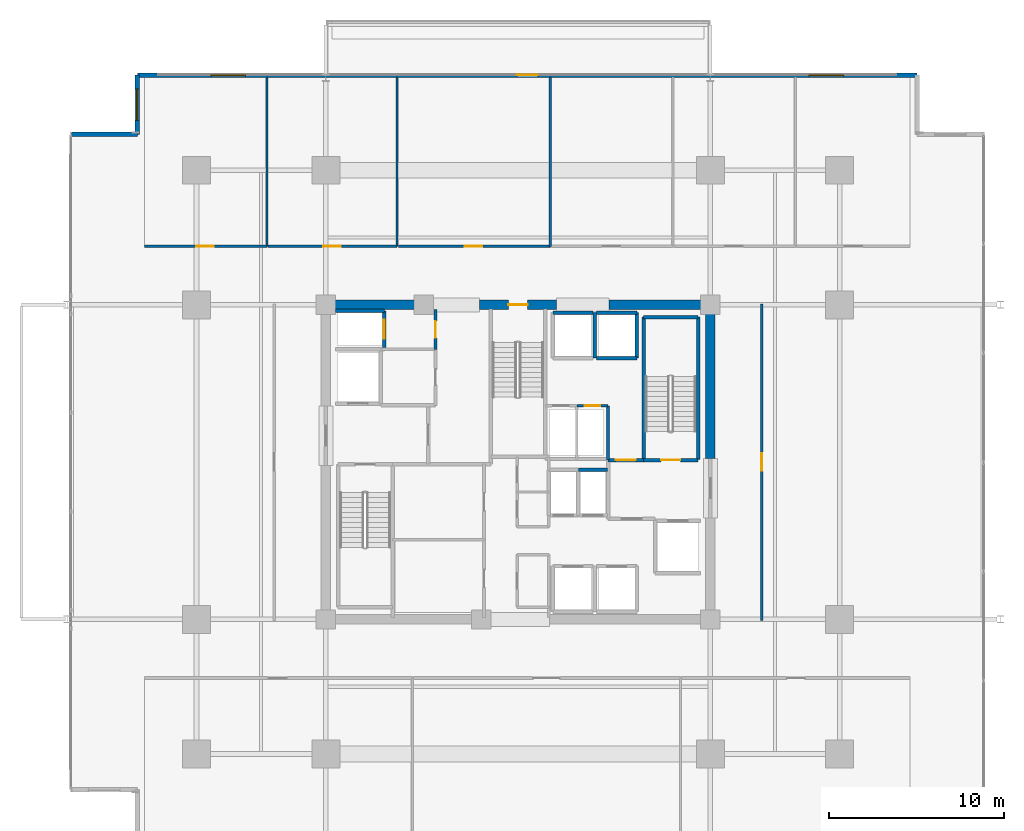
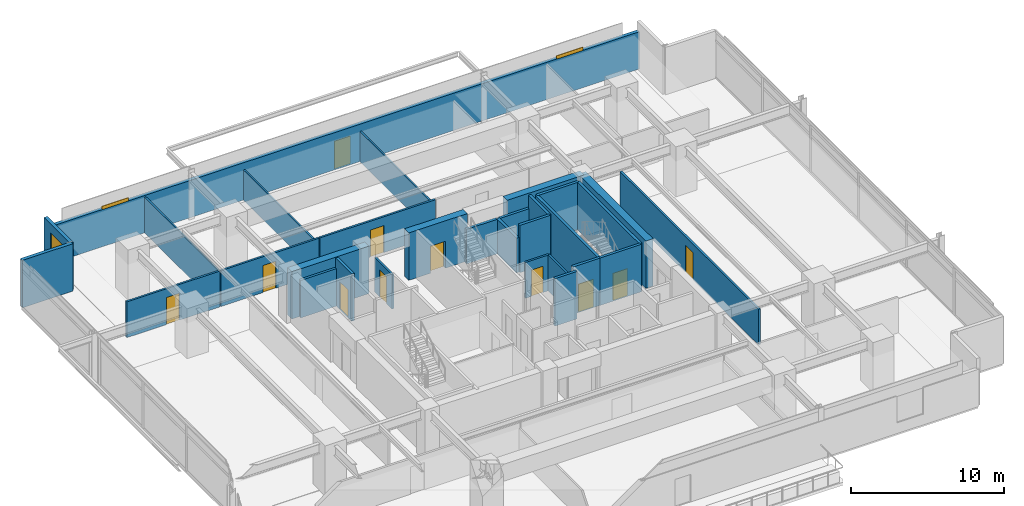
# One storey, part 17 of 22: 30 walls, 11 doors, 3 windows, 14 openings.
"""IFC4 building model written with IfcOpenShell, lengths in metres."""

from ifc_helpers import new_model, si_unit, direction, frame, frame_2d, origin, place, context, subcontext, project, spatial, rectangle, extrude, material, layer, layer_set, type_object, element, fill, save


model = new_model("IFC4")

# Units and contexts
model_context = context("Model", 3, precision=1e-05, world=origin(), true_north=direction((0.0, 1.0)))
body_context = subcontext(model_context, "Body", "Model", "MODEL_VIEW")
ifc_project = project(units=[si_unit("LENGTHUNIT", "METRE"), si_unit("AREAUNIT", "SQUARE_METRE"), si_unit("VOLUMEUNIT", "CUBIC_METRE"), si_unit("PLANEANGLEUNIT", "RADIAN"), si_unit("MASSUNIT", "GRAM", prefix="KILO")], contexts=[model_context])

# Site, building, storey
site_placement = place(None, origin())
site = spatial("IfcSite", under=ifc_project, at=site_placement, CompositionType="ELEMENT")
building_placement = place(site_placement, origin())
building = spatial("IfcBuilding", under=site, at=building_placement, Name="Kovane Verandah Tower", CompositionType="ELEMENT")
storey_placement = place(building_placement, frame((0.0, 0.0, 156.39990234375)))
storey = spatial("IfcBuildingStorey", under=building, at=storey_placement, Name="L36", CompositionType="ELEMENT", Elevation=156.39990234375)

# Wall, opening, door
ifc_material_1 = material(Name="Fire-Rated Gypsum Stud Partition", Category="gypsum")
ifc_layer_1 = layer(ifc_material_1, 0.14990234375)
ifc_layer_set_1 = layer_set([ifc_layer_1], Name="Fire-Rated Gypsum Stud Partition")
wall_type_1 = type_object("IfcWallType", Name="WL-COR-150", PredefinedType="PARTITIONING", material=ifc_layer_set_1)
wall_1_placement = place(storey_placement, frame((35.280029296875, 33.949951171875, 0.0), z_axis=(0.0, 0.0, 1.0), x_axis=(0.0, 1.0, 0.0)))
wall_1 = element("IfcWall", 1, at=wall_1_placement, inside=storey, type_object=wall_type_1, Name="L36 Goods Lift Lobby East Fire Partition", PredefinedType="PARTITIONING", context=body_context, shape_type="SweptSolid", body=[
    extrude(rectangle(XDim=2.27001953125, YDim=0.14990234375, at=frame_2d((1.135009765625, 0.0))), origin(), (0.0, 0.0, 1.0), 2.755126953125),
])
opening_1_placement = place(wall_1_placement, frame((0.659912109375, 0.0, 0.0)))
opening_1 = element("IfcOpeningElement", 2, at=opening_1_placement, cuts=wall_1, Name="Opening DR-L36-008", PredefinedType="OPENING", context=body_context, shape_type="SweptSolid", body=[
    extrude(rectangle(XDim=0.949951171875, YDim=2.14990234375, at=frame_2d((0.47509765625, 1.074951171875))), frame((0.0, 0.074951171875, 0.0), z_axis=(0.0, -1.0, 0.0), x_axis=(1.0, 0.0, 0.0)), (0.0, 0.0, 1.0), 0.14990234375),
])
ifc_material_2 = material(Name="Fire-Rated Steel Refuge and Lobby Door", Category="steel")
door_type_1 = type_object("IfcDoorType", Name="DR-FIRE-950", OperationType="SINGLE_SWING_LEFT", PredefinedType="DOOR", material=ifc_material_2)
door_1_placement = place(opening_1_placement, origin())
door_1 = element("IfcDoor", 3, at=door_1_placement, inside=storey, type_object=door_type_1, Name="L36 Goods Lift Lobby Fire Door", OperationType="SINGLE_SWING_LEFT", OverallHeight=2.14990234375, OverallWidth=0.949951171875, PredefinedType="DOOR", context=body_context, shape_type="SweptSolid", body=[
    extrude(rectangle(XDim=0.949951171875, YDim=2.14990234375, at=frame_2d((0.47509765625, 1.074951171875))), frame((0.0, 0.02490234375, 0.0), z_axis=(0.0, -1.0, 0.0), x_axis=(1.0, 0.0, 0.0)), (0.0, 0.0, 1.0), 0.050048828125),
])
fill(opening_1, door_1)

# Wall
wall_2_placement = place(storey_placement, frame((45.14990234375, 27.6201171875, 0.0), z_axis=(0.0, 0.0, 1.0), x_axis=(0.0, 1.0, 0.0)))
element("IfcWall", 4, at=wall_2_placement, inside=storey, type_object=wall_type_1, Name="L36 East Core Service Riser East Wall", PredefinedType="PARTITIONING", context=body_context, shape_type="SweptSolid", body=[
    extrude(rectangle(XDim=3.099853515625, YDim=0.14990234375, at=frame_2d((1.5498046875, 0.0))), origin(), (0.0, 0.0, 1.0), 2.85009765625),
])

# Wall, opening, door
wall_3_placement = place(storey_placement, frame((43.360107421875, 30.719970703125, 0.0), z_axis=(0.0, 0.0, 1.0), x_axis=(1.0, 0.0, 0.0)))
wall_3 = element("IfcWall", 5, at=wall_3_placement, inside=storey, type_object=wall_type_1, Name="L36 Smoke Extract Duct Room Partition", PredefinedType="PARTITIONING", context=body_context, shape_type="SweptSolid", body=[
    extrude(rectangle(XDim=1.789794921875, YDim=0.14990234375, at=frame_2d((0.89501953125, 0.0))), origin(), (0.0, 0.0, 1.0), 2.85009765625),
])
opening_2_placement = place(wall_3_placement, frame((0.455078125, 0.0, 0.0)))
opening_2 = element("IfcOpeningElement", 6, at=opening_2_placement, cuts=wall_3, Name="Opening DR-L36-016", PredefinedType="OPENING", context=body_context, shape_type="SweptSolid", body=[
    extrude(rectangle(XDim=0.8798828125, YDim=2.10009765625, at=frame_2d((0.43994140625, 1.050048828125))), frame((0.0, 0.074951171875, 0.0), z_axis=(0.0, -1.0, 0.0), x_axis=(1.0, 0.0, 0.0)), (0.0, 0.0, 1.0), 0.14990234375),
])
ifc_material_3 = material(Name="Fire-Rated Steel Riser Access Door", Category="steel")
door_type_2 = type_object("IfcDoorType", Name="DR-RISER-880", OperationType="SINGLE_SWING_LEFT", PredefinedType="DOOR", material=ifc_material_3)
door_2_placement = place(opening_2_placement, origin())
door_2 = element("IfcDoor", 7, at=door_2_placement, inside=storey, type_object=door_type_2, Name="L36 Smoke Extract Duct Room Door", OperationType="SINGLE_SWING_RIGHT", OverallHeight=2.10009765625, OverallWidth=0.8798828125, PredefinedType="DOOR", context=body_context, shape_type="SweptSolid", body=[
    extrude(rectangle(XDim=0.8798828125, YDim=2.10009765625, at=frame_2d((0.43994140625, 1.050048828125))), frame((0.0, 0.02490234375, 0.0), z_axis=(0.0, -1.0, 0.0), x_axis=(1.0, 0.0, 0.0)), (0.0, 0.0, 1.0), 0.050048828125),
])
fill(opening_2, door_2)

wall_4_placement = place(storey_placement, frame((18.61962890625, 39.85009765625, 0.0), z_axis=(0.0, 0.0, 1.0), x_axis=(1.0, 0.0, 0.0)))
wall_4 = element("IfcWall", 8, at=wall_4_placement, inside=storey, type_object=wall_type_1, Name="L36 Meeting Room N1 Corridor Partition", PredefinedType="PARTITIONING", context=body_context, shape_type="SweptSolid", body=[
    extrude(rectangle(XDim=7.01171875, YDim=0.14990234375, at=frame_2d((3.505859375, 0.0))), origin(), (0.0, 0.0, 1.0), 2.85009765625),
])
opening_3_placement = place(wall_4_placement, frame((2.970703125, 0.0, 0.0)))
opening_3 = element("IfcOpeningElement", 9, at=opening_3_placement, cuts=wall_4, Name="Opening DR-L36-017", PredefinedType="OPENING", context=body_context, shape_type="SweptSolid", body=[
    extrude(rectangle(XDim=1.0, YDim=2.14990234375, at=frame_2d((0.5, 1.074951171875))), frame((0.0, 0.074951171875, 0.0), z_axis=(0.0, -1.0, 0.0), x_axis=(1.0, 0.0, 0.0)), (0.0, 0.0, 1.0), 0.14990234375),
])
ifc_material_4 = material(Name="FSC Spotted-Gum Timber Fire-Rated Office Door", Category="wood")
door_type_3 = type_object("IfcDoorType", Name="DR-OFF-1000", OperationType="SINGLE_SWING_LEFT", PredefinedType="DOOR", material=ifc_material_4)
door_3_placement = place(opening_3_placement, origin())
door_3 = element("IfcDoor", 10, at=door_3_placement, inside=storey, type_object=door_type_3, Name="L36 Meeting Room N1 Entrance Door", OperationType="SINGLE_SWING_LEFT", OverallHeight=2.14990234375, OverallWidth=1.0, PredefinedType="DOOR", context=body_context, shape_type="SweptSolid", body=[
    extrude(rectangle(XDim=1.0, YDim=2.14990234375, at=frame_2d((0.5, 1.074951171875))), frame((0.0, 0.02490234375, 0.0), z_axis=(0.0, -1.0, 0.0), x_axis=(1.0, 0.0, 0.0)), (0.0, 0.0, 1.0), 0.050048828125),
])
fill(opening_3, door_3)

wall_5_placement = place(storey_placement, frame((25.701416015625, 39.85009765625, 0.0), z_axis=(0.0, 0.0, 1.0), x_axis=(1.0, 0.0, 0.0)))
wall_5 = element("IfcWall", 11, at=wall_5_placement, inside=storey, type_object=wall_type_1, Name="L36 Focus Studio N2 Corridor Partition", PredefinedType="PARTITIONING", context=body_context, shape_type="SweptSolid", body=[
    extrude(rectangle(XDim=7.379638671875, YDim=0.14990234375, at=frame_2d((3.68994140625, 0.0))), origin(), (0.0, 0.0, 1.0), 2.85009765625),
])
opening_4_placement = place(wall_5_placement, frame((3.15478515625, 0.0, 0.0)))
opening_4 = element("IfcOpeningElement", 12, at=opening_4_placement, cuts=wall_5, Name="Opening DR-L36-018", PredefinedType="OPENING", context=body_context, shape_type="SweptSolid", body=[
    extrude(rectangle(XDim=1.0, YDim=2.14990234375, at=frame_2d((0.5, 1.074951171875))), frame((0.0, 0.074951171875, 0.0), z_axis=(0.0, -1.0, 0.0), x_axis=(1.0, 0.0, 0.0)), (0.0, 0.0, 1.0), 0.14990234375),
])
door_4_placement = place(opening_4_placement, origin())
door_4 = element("IfcDoor", 13, at=door_4_placement, inside=storey, type_object=door_type_3, Name="L36 Focus Studio N2 Entrance Door", OperationType="SINGLE_SWING_RIGHT", OverallHeight=2.14990234375, OverallWidth=1.0, PredefinedType="DOOR", context=body_context, shape_type="SweptSolid", body=[
    extrude(rectangle(XDim=1.0, YDim=2.14990234375, at=frame_2d((0.5, 1.074951171875))), frame((0.0, 0.02490234375, 0.0), z_axis=(0.0, -1.0, 0.0), x_axis=(1.0, 0.0, 0.0)), (0.0, 0.0, 1.0), 0.050048828125),
])
fill(opening_4, door_4)

wall_6_placement = place(storey_placement, frame((33.151123046875, 39.85009765625, 0.0), z_axis=(0.0, 0.0, 1.0), x_axis=(1.0, 0.0, 0.0)))
wall_6 = element("IfcWall", 14, at=wall_6_placement, inside=storey, type_object=wall_type_1, Name="L36 Breakout Pantry N3 Corridor Partition", PredefinedType="PARTITIONING", context=body_context, shape_type="SweptSolid", body=[
    extrude(rectangle(XDim=8.6943359375, YDim=0.14990234375, at=frame_2d((4.34716796875, 0.0))), origin(), (0.0, 0.0, 1.0), 2.85009765625),
])
opening_5_placement = place(wall_6_placement, frame((3.812255859375, 0.0, 0.0)))
opening_5 = element("IfcOpeningElement", 15, at=opening_5_placement, cuts=wall_6, Name="Opening DR-L36-019", PredefinedType="OPENING", context=body_context, shape_type="SweptSolid", body=[
    extrude(rectangle(XDim=1.0, YDim=2.14990234375, at=frame_2d((0.5, 1.074951171875))), frame((0.0, 0.074951171875, 0.0), z_axis=(0.0, -1.0, 0.0), x_axis=(1.0, 0.0, 0.0)), (0.0, 0.0, 1.0), 0.14990234375),
])
door_5_placement = place(opening_5_placement, origin())
door_5 = element("IfcDoor", 16, at=door_5_placement, inside=storey, type_object=door_type_3, Name="L36 Breakout Pantry N3 Entrance Door", OperationType="SINGLE_SWING_LEFT", OverallHeight=2.14990234375, OverallWidth=1.0, PredefinedType="DOOR", context=body_context, shape_type="SweptSolid", body=[
    extrude(rectangle(XDim=1.0, YDim=2.14990234375, at=frame_2d((0.5, 1.074951171875))), frame((0.0, 0.02490234375, 0.0), z_axis=(0.0, -1.0, 0.0), x_axis=(1.0, 0.0, 0.0)), (0.0, 0.0, 1.0), 0.050048828125),
])
fill(opening_5, door_5)

wall_7_placement = place(storey_placement, frame((53.949951171875, 18.449951171875, 0.0), z_axis=(0.0, 0.0, 1.0), x_axis=(0.0, 1.0, 0.0)))
wall_7 = element("IfcWall", 17, at=wall_7_placement, inside=storey, type_object=wall_type_1, Name="L36 Breakout Pantry E1 Corridor Partition", PredefinedType="PARTITIONING", context=body_context, shape_type="SweptSolid", body=[
    extrude(rectangle(XDim=18.10009765625, YDim=0.14990234375, at=frame_2d((9.050048828125, 0.0))), origin(), (0.0, 0.0, 1.0), 2.85009765625),
])
opening_6_placement = place(wall_7_placement, frame((8.550048828125, 0.0, 0.0)))
opening_6 = element("IfcOpeningElement", 18, at=opening_6_placement, cuts=wall_7, Name="Opening DR-L36-012", PredefinedType="OPENING", context=body_context, shape_type="SweptSolid", body=[
    extrude(rectangle(XDim=1.0, YDim=2.14990234375, at=frame_2d((0.5, 1.074951171875))), frame((0.0, 0.074951171875, 0.0), z_axis=(0.0, -1.0, 0.0), x_axis=(1.0, 0.0, 0.0)), (0.0, 0.0, 1.0), 0.14990234375),
])
door_6_placement = place(opening_6_placement, origin())
door_6 = element("IfcDoor", 19, at=door_6_placement, inside=storey, type_object=door_type_3, Name="L36 Breakout Pantry E1 Entrance Door", OperationType="SINGLE_SWING_LEFT", OverallHeight=2.14990234375, OverallWidth=1.0, PredefinedType="DOOR", context=body_context, shape_type="SweptSolid", body=[
    extrude(rectangle(XDim=1.0, YDim=2.14990234375, at=frame_2d((0.5, 1.074951171875))), frame((0.0, 0.02490234375, 0.0), z_axis=(0.0, -1.0, 0.0), x_axis=(1.0, 0.0, 0.0)), (0.0, 0.0, 1.0), 0.050048828125),
])
fill(opening_6, door_6)

# Wall
ifc_material_5 = material(Name="Concrete C60/75", Category="concrete")
ifc_layer_2 = layer(ifc_material_5, 0.550048828125)
ifc_layer_set_2 = layer_set([ifc_layer_2], Name="Concrete C60/75")
wall_type_2 = type_object("IfcWallType", Name="WL-CORE-550", PredefinedType="SHEAR", material=ifc_layer_set_2)
wall_8_placement = place(storey_placement, frame((29.0, 36.5, 0.0), z_axis=(0.0, 0.0, 1.0), x_axis=(1.0, 0.0, 0.0)))
element("IfcWall", 20, at=wall_8_placement, inside=storey, type_object=wall_type_2, Name="L36 Core Shear Wall CN-1", PredefinedType="SHEAR", context=body_context, shape_type="SweptSolid", body=[
    extrude(rectangle(XDim=5.800048828125, YDim=0.550048828125, at=frame_2d((2.89990234375, 0.0))), origin(), (0.0, 0.0, 1.0), 3.775146484375),
])

# Wall, opening, door
wall_9_placement = place(storey_placement, frame((37.800048828125, 36.5, 0.0), z_axis=(0.0, 0.0, 1.0), x_axis=(1.0, 0.0, 0.0)))
wall_9 = element("IfcWall", 21, at=wall_9_placement, inside=storey, type_object=wall_type_2, Name="L36 Core Shear Wall CN-2", PredefinedType="SHEAR", context=body_context, shape_type="SweptSolid", body=[
    extrude(rectangle(XDim=4.39990234375, YDim=0.550048828125, at=frame_2d((2.199951171875, 0.0))), origin(), (0.0, 0.0, 1.0), 3.775146484375),
])
opening_7_placement = place(wall_9_placement, frame((1.64990234375, 0.0, 0.0)))
opening_7 = element("IfcOpeningElement", 22, at=opening_7_placement, cuts=wall_9, Name="Opening DR-L36-011", PredefinedType="OPENING", context=body_context, shape_type="SweptSolid", body=[
    extrude(rectangle(XDim=1.10009765625, YDim=2.14990234375, at=frame_2d((0.550048828125, 1.074951171875))), frame((0.0, 0.27490234375, 0.0), z_axis=(0.0, -1.0, 0.0), x_axis=(1.0, 0.0, 0.0)), (0.0, 0.0, 1.0), 0.550048828125),
])
ifc_material_6 = material(Name="Fire-Rated Steel Exit Door", Category="steel")
door_type_4 = type_object("IfcDoorType", Name="DR-STAIR-1100", OperationType="SINGLE_SWING_LEFT", PredefinedType="DOOR", material=ifc_material_6)
door_7_placement = place(opening_7_placement, origin())
door_7 = element("IfcDoor", 23, at=door_7_placement, inside=storey, type_object=door_type_4, Name="L36 ST-03 Fire Exit Stair Door", OperationType="SINGLE_SWING_LEFT", OverallHeight=2.14990234375, OverallWidth=1.10009765625, PredefinedType="DOOR", context=body_context, shape_type="SweptSolid", body=[
    extrude(rectangle(XDim=1.10009765625, YDim=2.14990234375, at=frame_2d((0.550048828125, 1.074951171875))), frame((0.0, 0.02490234375, 0.0), z_axis=(0.0, -1.0, 0.0), x_axis=(1.0, 0.0, 0.0)), (0.0, 0.0, 1.0), 0.050048828125),
])
fill(opening_7, door_7)

# Walls
wall_10_placement = place(storey_placement, frame((45.199951171875, 36.5, 0.0), z_axis=(0.0, 0.0, 1.0), x_axis=(1.0, 0.0, 0.0)))
element("IfcWall", 24, at=wall_10_placement, inside=storey, type_object=wall_type_2, Name="L36 Core Shear Wall CN-3", PredefinedType="SHEAR", context=body_context, shape_type="SweptSolid", body=[
    extrude(rectangle(XDim=5.800048828125, YDim=0.550048828125, at=frame_2d((2.89990234375, 0.0))), origin(), (0.0, 0.0, 1.0), 3.775146484375),
])
wall_11_placement = place(storey_placement, frame((51.0, 27.699951171875, 0.0), z_axis=(0.0, 0.0, 1.0), x_axis=(0.0, 1.0, 0.0)))
element("IfcWall", 25, at=wall_11_placement, inside=storey, type_object=wall_type_2, Name="L36 Core Shear Wall CE-2", PredefinedType="SHEAR", context=body_context, shape_type="SweptSolid", body=[
    extrude(rectangle(XDim=8.800048828125, YDim=0.550048828125, at=frame_2d((4.39990234375, 0.0))), origin(), (0.0, 0.0, 1.0), 3.775146484375),
])

# Wall, opening, door
ifc_material_7 = material(Name="Concrete C45/55 Fire Wall", Category="concrete")
ifc_layer_3 = layer(ifc_material_7, 0.199951171875)
ifc_layer_set_3 = layer_set([ifc_layer_3], Name="Concrete C45/55 Fire Wall")
wall_type_3 = type_object("IfcWallType", Name="WL-FFL-200", PredefinedType="PARTITIONING", material=ifc_layer_set_3)
wall_12_placement = place(storey_placement, frame((45.14990234375, 27.6201171875, 0.0), z_axis=(0.0, 0.0, 1.0), x_axis=(1.0, 0.0, 0.0)))
wall_12 = element("IfcWall", 26, at=wall_12_placement, inside=storey, type_object=wall_type_3, Name="W-L36-FFLE-N", PredefinedType="PARTITIONING", context=body_context, shape_type="SweptSolid", body=[
    extrude(rectangle(XDim=2.030029296875, YDim=0.199951171875, at=frame_2d((1.01513671875, 0.0))), origin(), (0.0, 0.0, 1.0), 3.775146484375),
])
opening_8_placement = place(wall_12_placement, frame((0.43994140625, 0.0, 0.0)))
opening_8 = element("IfcOpeningElement", 27, at=opening_8_placement, cuts=wall_12, Name="Opening DR-L36-004", PredefinedType="OPENING", context=body_context, shape_type="SweptSolid", body=[
    extrude(rectangle(XDim=1.14990234375, YDim=2.199951171875, at=frame_2d((0.574951171875, 1.10009765625))), frame((0.0, 0.10009765625, 0.0), z_axis=(0.0, -1.0, 0.0), x_axis=(1.0, 0.0, 0.0)), (0.0, 0.0, 1.0), 0.199951171875),
])
ifc_material_8 = material(Name="Smoke-Sealed Firefighting Lobby Door", Category="steel")
door_type_5 = type_object("IfcDoorType", Name="DR-FFL-1150", OperationType="SINGLE_SWING_LEFT", PredefinedType="DOOR", material=ifc_material_8)
door_8_placement = place(opening_8_placement, origin())
door_8 = element("IfcDoor", 28, at=door_8_placement, inside=storey, type_object=door_type_5, Name="L36 East Firefighting Lobby Shuttle Link Door", OperationType="SINGLE_SWING_LEFT", OverallHeight=2.199951171875, OverallWidth=1.14990234375, PredefinedType="DOOR", context=body_context, shape_type="SweptSolid", body=[
    extrude(rectangle(XDim=1.14990234375, YDim=2.199951171875, at=frame_2d((0.574951171875, 1.10009765625))), frame((0.0, 0.02490234375, 0.0), z_axis=(0.0, -1.0, 0.0), x_axis=(1.0, 0.0, 0.0)), (0.0, 0.0, 1.0), 0.050048828125),
])
fill(opening_8, door_8)

# Wall
ifc_material_9 = material(Name="Concrete C45/55 Lift Shaft Wall", Category="concrete")
ifc_layer_4 = layer(ifc_material_9, 0.199951171875)
ifc_layer_set_4 = layer_set([ifc_layer_4], Name="Concrete C45/55 Lift Shaft Wall")
wall_type_4 = type_object("IfcWallType", Name="WL-LIFT-200", PredefinedType="SOLIDWALL", material=ifc_layer_set_4)
wall_13_placement = place(storey_placement, frame((32.35009765625, 36.14990234375, 0.0), z_axis=(0.0, 0.0, 1.0), x_axis=(-1.0, 0.0, 0.0)))
element("IfcWall", 29, at=wall_13_placement, inside=storey, type_object=wall_type_4, Name="L36 Lift GL-01 N Shaft Wall", PredefinedType="SOLIDWALL", context=body_context, shape_type="SweptSolid", body=[
    extrude(rectangle(XDim=2.800048828125, YDim=0.199951171875, at=frame_2d((1.39990234375, 0.0))), origin(), (0.0, 0.0, 1.0), 2.9853515625),
])

# Wall, opening, door
wall_14_placement = place(storey_placement, frame((32.35009765625, 34.050048828125, 0.0), z_axis=(0.0, 0.0, 1.0), x_axis=(0.0, 1.0, 0.0)))
wall_14 = element("IfcWall", 30, at=wall_14_placement, inside=storey, type_object=wall_type_4, Name="L36 Lift GL-01 E Shaft Wall", PredefinedType="SOLIDWALL", context=body_context, shape_type="SweptSolid", body=[
    extrude(rectangle(XDim=2.099853515625, YDim=0.199951171875, at=frame_2d((1.0498046875, 0.0))), origin(), (0.0, 0.0, 1.0), 3.775146484375),
])
opening_9_placement = place(wall_14_placement, frame((0.5, 0.0, 0.0)))
opening_9 = element("IfcOpeningElement", 31, at=opening_9_placement, cuts=wall_14, Name="Opening LD-L36-003", PredefinedType="OPENING", context=body_context, shape_type="SweptSolid", body=[
    extrude(rectangle(XDim=1.10009765625, YDim=2.199951171875, at=frame_2d((0.550048828125, 1.10009765625))), frame((0.0, 0.10009765625, 0.0), z_axis=(0.0, -1.0, 0.0), x_axis=(1.0, 0.0, 0.0)), (0.0, 0.0, 1.0), 0.199951171875),
])
ifc_material_10 = material(Name="Brushed Stainless Steel Sliding Lift Landing Door", Category="steel")
door_type_6 = type_object("IfcDoorType", Name="DR-LIFT-1100", OperationType="SLIDING_TO_RIGHT", PredefinedType="DOOR", material=ifc_material_10)
door_9_placement = place(opening_9_placement, origin())
door_9 = element("IfcDoor", 32, at=door_9_placement, inside=storey, type_object=door_type_6, Name="L36 Lift GL-01 Sliding Landing Door", OperationType="SLIDING_TO_RIGHT", OverallHeight=2.199951171875, OverallWidth=1.10009765625, PredefinedType="DOOR", context=body_context, shape_type="SweptSolid", body=[
    extrude(rectangle(XDim=1.10009765625, YDim=2.199951171875, at=frame_2d((0.550048828125, 1.10009765625))), frame((0.0, 0.02490234375, 0.0), z_axis=(0.0, -1.0, 0.0), x_axis=(1.0, 0.0, 0.0)), (0.0, 0.0, 1.0), 0.050048828125),
])
fill(opening_9, door_9)

# Walls
wall_15_placement = place(storey_placement, frame((45.1201171875, 27.050048828125, 0.0), z_axis=(0.0, 0.0, 1.0), x_axis=(-1.0, 0.0, 0.0)))
element("IfcWall", 33, at=wall_15_placement, inside=storey, type_object=wall_type_4, Name="L36 Lift PL-M4 N Shaft Wall", PredefinedType="SOLIDWALL", context=body_context, shape_type="SweptSolid", body=[
    extrude(rectangle(XDim=1.66015625, YDim=0.199951171875, at=frame_2d((0.830078125, 0.0))), origin(), (0.0, 0.0, 1.0), 3.775146484375),
])
wall_16_placement = place(storey_placement, frame((44.300048828125, 36.050048828125, 0.0), z_axis=(0.0, 0.0, 1.0), x_axis=(-1.0, 0.0, 0.0)))
element("IfcWall", 34, at=wall_16_placement, inside=storey, type_object=wall_type_4, Name="L36 Lift SL-01 N Shaft Wall", PredefinedType="SOLIDWALL", context=body_context, shape_type="SweptSolid", body=[
    extrude(rectangle(XDim=2.300048828125, YDim=0.199951171875, at=frame_2d((1.14990234375, 0.0))), origin(), (0.0, 0.0, 1.0), 2.755126953125),
])
wall_17_placement = place(storey_placement, frame((44.39990234375, 33.449951171875, 0.0), z_axis=(0.0, 0.0, 1.0), x_axis=(0.0, 1.0, 0.0)))
element("IfcWall", 35, at=wall_17_placement, inside=storey, type_object=wall_type_4, Name="L36 Lift OL-01 and SL-01 Shared Shaft Wall", PredefinedType="SOLIDWALL", context=body_context, shape_type="SweptSolid", body=[
    extrude(rectangle(XDim=2.60009765625, YDim=0.199951171875, at=frame_2d((1.300048828125, 0.0))), origin(), (0.0, 0.0, 1.0), 2.755126953125),
])
wall_18_placement = place(storey_placement, frame((44.5, 33.449951171875, 0.0), z_axis=(0.0, 0.0, 1.0), x_axis=(1.0, 0.0, 0.0)))
element("IfcWall", 36, at=wall_18_placement, inside=storey, type_object=wall_type_4, Name="L36 Lift OL-01 S Shaft Wall", PredefinedType="SOLIDWALL", context=body_context, shape_type="SweptSolid", body=[
    extrude(rectangle(XDim=2.300048828125, YDim=0.199951171875, at=frame_2d((1.14990234375, 0.0))), origin(), (0.0, 0.0, 1.0), 3.775146484375),
])
wall_19_placement = place(storey_placement, frame((46.800048828125, 36.050048828125, 0.0), z_axis=(0.0, 0.0, 1.0), x_axis=(-1.0, 0.0, 0.0)))
element("IfcWall", 37, at=wall_19_placement, inside=storey, type_object=wall_type_4, Name="L36 Lift OL-01 N Shaft Wall", PredefinedType="SOLIDWALL", context=body_context, shape_type="SweptSolid", body=[
    extrude(rectangle(XDim=2.300048828125, YDim=0.199951171875, at=frame_2d((1.14990234375, 0.0))), origin(), (0.0, 0.0, 1.0), 2.755126953125),
])
wall_20_placement = place(storey_placement, frame((46.800048828125, 33.449951171875, 0.0), z_axis=(0.0, 0.0, 1.0), x_axis=(0.0, 1.0, 0.0)))
element("IfcWall", 38, at=wall_20_placement, inside=storey, type_object=wall_type_4, Name="L36 Lift OL-01 E Shaft Wall", PredefinedType="SOLIDWALL", context=body_context, shape_type="SweptSolid", body=[
    extrude(rectangle(XDim=2.60009765625, YDim=0.199951171875, at=frame_2d((1.300048828125, 0.0))), origin(), (0.0, 0.0, 1.0), 3.775146484375),
])
ifc_material_11 = material(Name="Acoustic Fire-Rated Gypsum Partition", Category="gypsum")
ifc_layer_5 = layer(ifc_material_11, 0.1201171875)
ifc_layer_set_5 = layer_set([ifc_layer_5], Name="Acoustic Fire-Rated Gypsum Partition")
wall_type_5 = type_object("IfcWallType", Name="WL-PART-120", PredefinedType="PARTITIONING", material=ifc_layer_set_5)
wall_21_placement = place(storey_placement, frame((25.63134765625, 39.85009765625, 0.0), z_axis=(0.0, 0.0, 1.0), x_axis=(0.0, 1.0, 0.0)))
element("IfcWall", 39, at=wall_21_placement, inside=storey, type_object=wall_type_5, Name="L36 Meeting Room N1 Dividing Partition", PredefinedType="PARTITIONING", context=body_context, shape_type="SweptSolid", body=[
    extrude(rectangle(XDim=9.696044921875, YDim=0.1201171875, at=frame_2d((4.84814453125, 0.0))), origin(), (0.0, 0.0, 1.0), 2.85009765625),
])
for number, where, z_axis, x_axis, name in (
    (40, (33.0810546875, 39.85009765625, 0.0), (0.0, 0.0, 1.0), (0.0, 1.0, 0.0), "L36 Focus Studio N2 Dividing Partition"),
    (41, (41.845458984375, 39.85009765625, 0.0), (0.0, 0.0, 1.0), (0.0, 1.0, 0.0), "L36 Breakout Pantry N3 Dividing Partition"),
):
    element("IfcWall", number, at=place(storey_placement, frame(where, z_axis=z_axis, x_axis=x_axis)), inside=storey, type_object=wall_type_5, Name=name, PredefinedType="PARTITIONING", context=body_context, shape_type="SweptSolid", body=[
        extrude(rectangle(XDim=9.696044921875, YDim=0.1201171875, at=frame_2d((4.84814453125, 0.0))), origin(), (0.0, 0.0, 1.0), 2.405029296875),
    ])
ifc_material_12 = material(Name="Concrete C45/55", Category="concrete")
ifc_layer_6 = layer(ifc_material_12, 0.199951171875)
ifc_layer_set_6 = layer_set([ifc_layer_6], Name="Concrete C45/55")
wall_type_6 = type_object("IfcWallType", Name="WL-SHAFT-200", PredefinedType="SOLIDWALL", material=ifc_layer_set_6)
wall_22_placement = place(storey_placement, frame((50.300048828125, 27.64990234375, 0.0), z_axis=(0.0, 0.0, 1.0), x_axis=(0.0, 1.0, 0.0)))
element("IfcWall", 42, at=wall_22_placement, inside=storey, type_object=wall_type_6, Name="W-L36-ST02-E", PredefinedType="SOLIDWALL", context=body_context, shape_type="SweptSolid", body=[
    extrude(rectangle(XDim=8.150146484375, YDim=0.199951171875, at=frame_2d((4.0751953125, 0.0))), origin(), (0.0, 0.0, 1.0), 3.775146484375),
])
wall_23_placement = place(storey_placement, frame((47.179931640625, 35.800048828125, 0.0), z_axis=(0.0, 0.0, 1.0), x_axis=(1.0, 0.0, 0.0)))
element("IfcWall", 43, at=wall_23_placement, inside=storey, type_object=wall_type_6, Name="W-L36-ST02-N", PredefinedType="SOLIDWALL", context=body_context, shape_type="SweptSolid", body=[
    extrude(rectangle(XDim=3.1201171875, YDim=0.199951171875, at=frame_2d((1.56005859375, 0.0))), origin(), (0.0, 0.0, 1.0), 3.775146484375),
])
wall_24_placement = place(storey_placement, frame((47.179931640625, 27.6201171875, 0.0), z_axis=(0.0, 0.0, 1.0), x_axis=(0.0, 1.0, 0.0)))
element("IfcWall", 44, at=wall_24_placement, inside=storey, type_object=wall_type_6, Name="W-L36-ST02-W", PredefinedType="SOLIDWALL", context=body_context, shape_type="SweptSolid", body=[
    extrude(rectangle(XDim=8.179931640625, YDim=0.199951171875, at=frame_2d((4.08984375, 0.0))), origin(), (0.0, 0.0, 1.0), 3.775146484375),
])

# Wall, opening, door
wall_25_placement = place(storey_placement, frame((47.179931640625, 27.6201171875, 0.0), z_axis=(0.0, 0.0, 1.0), x_axis=(1.0, 0.0, 0.0)))
wall_25 = element("IfcWall", 45, at=wall_25_placement, inside=storey, type_object=wall_type_6, Name="W-L36-ST02-S", PredefinedType="SOLIDWALL", context=body_context, shape_type="SweptSolid", body=[
    extrude(rectangle(XDim=3.1201171875, YDim=0.199951171875, at=frame_2d((1.56005859375, 0.0))), origin(), (0.0, 0.0, 1.0), 3.775146484375),
])
opening_10_placement = place(wall_25_placement, frame((1.010009765625, 0.0, 0.0)))
opening_10 = element("IfcOpeningElement", 46, at=opening_10_placement, cuts=wall_25, Name="Opening DR-L36-010", PredefinedType="OPENING", context=body_context, shape_type="SweptSolid", body=[
    extrude(rectangle(XDim=1.10009765625, YDim=2.14990234375, at=frame_2d((0.550048828125, 1.074951171875))), frame((0.0, 0.10009765625, 0.0), z_axis=(0.0, -1.0, 0.0), x_axis=(1.0, 0.0, 0.0)), (0.0, 0.0, 1.0), 0.199951171875),
])
door_10_placement = place(opening_10_placement, origin())
door_10 = element("IfcDoor", 47, at=door_10_placement, inside=storey, type_object=door_type_4, Name="L36 ST-02 Fire Exit Stair Door", OperationType="SINGLE_SWING_RIGHT", OverallHeight=2.14990234375, OverallWidth=1.10009765625, PredefinedType="DOOR", context=body_context, shape_type="SweptSolid", body=[
    extrude(rectangle(XDim=1.10009765625, YDim=2.14990234375, at=frame_2d((0.550048828125, 1.074951171875))), frame((0.0, 0.02490234375, 0.0), z_axis=(0.0, -1.0, 0.0), x_axis=(1.0, 0.0, 0.0)), (0.0, 0.0, 1.0), 0.050048828125),
])
fill(opening_10, door_10)

# Wall, openings, door, windows
ifc_material_13 = material(Name="Concrete C45/55 Insulated Spandrel Wall", Category="concrete")
ifc_layer_7 = layer(ifc_material_13, 0.260009765625)
ifc_layer_set_7 = layer_set([ifc_layer_7], Name="Concrete C45/55 Insulated Spandrel Wall")
wall_type_7 = type_object("IfcWallType", Name="WL-SPANDREL-260", PredefinedType="PARAPET", material=ifc_layer_set_7)
wall_26_placement = place(storey_placement, frame((62.842041015625, 49.646240234375, 0.0), z_axis=(0.0, 0.0, 1.0), x_axis=(-1.0, 0.0, 0.0)))
wall_26 = element("IfcWall", 48, at=wall_26_placement, inside=storey, type_object=wall_type_7, Name="L36 N Verandah Access Facade Wall", PredefinedType="PARAPET", context=body_context, shape_type="SweptSolid", body=[
    extrude(rectangle(XDim=44.622314453125, YDim=0.260009765625, at=frame_2d((22.31103515625, 0.0))), origin(), (0.0, 0.0, 1.0), 2.97021484375),
])
opening_11_placement = place(wall_26_placement, frame((4.199951171875, 0.0, 0.85009765625)))
opening_11 = element("IfcOpeningElement", 49, at=opening_11_placement, cuts=wall_26, Name="Opening W-04", PredefinedType="OPENING", context=body_context, shape_type="SweptSolid", body=[
    extrude(rectangle(XDim=2.0, YDim=2.300048828125, at=frame_2d((1.0, 1.14990234375))), frame((0.0, 0.1298828125, 0.0), z_axis=(0.0, -1.0, 0.0), x_axis=(1.0, 0.0, 0.0)), (0.0, 0.0, 1.0), 0.260009765625),
])
opening_12_placement = place(wall_26_placement, frame((21.711181640625, 0.0, 0.0)))
opening_12 = element("IfcOpeningElement", 50, at=opening_12_placement, cuts=wall_26, Name="Opening DR-L36-001", PredefinedType="OPENING", context=body_context, shape_type="SweptSolid", body=[
    extrude(rectangle(XDim=1.199951171875, YDim=2.199951171875, at=frame_2d((0.60009765625, 1.10009765625))), frame((0.0, 0.1298828125, 0.0), z_axis=(0.0, -1.0, 0.0), x_axis=(1.0, 0.0, 0.0)), (0.0, 0.0, 1.0), 0.260009765625),
])
opening_13_placement = place(wall_26_placement, frame((38.42236328125, 0.0, 0.85009765625)))
opening_13 = element("IfcOpeningElement", 51, at=opening_13_placement, cuts=wall_26, Name="Opening W-04", PredefinedType="OPENING", context=body_context, shape_type="SweptSolid", body=[
    extrude(rectangle(XDim=2.0, YDim=2.300048828125, at=frame_2d((1.0, 1.14990234375))), frame((0.0, 0.1298828125, 0.0), z_axis=(0.0, -1.0, 0.0), x_axis=(1.0, 0.0, 0.0)), (0.0, 0.0, 1.0), 0.260009765625),
])
ifc_material_14 = material(Name="Cyclone-Rated Glazed Balcony Leaf Door", Category="aluminium")
door_type_7 = type_object("IfcDoorType", Name="DR-BAL-1200x2200", OperationType="SINGLE_SWING_LEFT", PredefinedType="DOOR", material=ifc_material_14)
door_11_placement = place(opening_12_placement, origin())
door_11 = element("IfcDoor", 52, at=door_11_placement, inside=storey, type_object=door_type_7, Name="L36 N Planted Balcony Access Door", OperationType="SINGLE_SWING_LEFT", OverallHeight=2.199951171875, OverallWidth=1.199951171875, PredefinedType="DOOR", context=body_context, shape_type="SweptSolid", body=[
    extrude(rectangle(XDim=1.199951171875, YDim=2.199951171875, at=frame_2d((0.60009765625, 1.10009765625))), frame((0.0, 0.02490234375, 0.0), z_axis=(0.0, -1.0, 0.0), x_axis=(1.0, 0.0, 0.0)), (0.0, 0.0, 1.0), 0.050048828125),
])
fill(opening_12, door_11)
ifc_material_15 = material(Name="Clear Low-E Laminated Double Glazing in Anodised Frame", Category="glass")
window_type_1 = type_object("IfcWindowType", Name="WN-FIXED-2000x2300", PartitioningType="SINGLE_PANEL", PredefinedType="WINDOW", material=ifc_material_15)
window_1_placement = place(opening_11_placement, origin())
window_1 = element("IfcWindow", 53, at=window_1_placement, inside=storey, type_object=window_type_1, Name="L36 N Verandah View Window 1", OverallHeight=2.300048828125, OverallWidth=2.0, PartitioningType="SINGLE_PANEL", PredefinedType="WINDOW", context=body_context, shape_type="SweptSolid", body=[
    extrude(rectangle(XDim=2.0, YDim=2.300048828125, at=frame_2d((1.0, 1.14990234375))), frame((0.0, 0.030029296875, 0.0), z_axis=(0.0, -1.0, 0.0), x_axis=(1.0, 0.0, 0.0)), (0.0, 0.0, 1.0), 0.06005859375),
])
fill(opening_11, window_1)
window_2_placement = place(opening_13_placement, origin())
window_2 = element("IfcWindow", 54, at=window_2_placement, inside=storey, type_object=window_type_1, Name="L36 N Verandah View Window 2", OverallHeight=2.300048828125, OverallWidth=2.0, PartitioningType="SINGLE_PANEL", PredefinedType="WINDOW", context=body_context, shape_type="SweptSolid", body=[
    extrude(rectangle(XDim=2.0, YDim=2.300048828125, at=frame_2d((1.0, 1.14990234375))), frame((0.0, 0.030029296875, 0.0), z_axis=(0.0, -1.0, 0.0), x_axis=(1.0, 0.0, 0.0)), (0.0, 0.0, 1.0), 0.06005859375),
])
fill(opening_13, window_2)

# Wall, opening, window
wall_27_placement = place(storey_placement, frame((18.2197265625, 49.646240234375, 0.0), z_axis=(0.0, 0.0, 1.0), x_axis=(0.0, -1.0, 0.0)))
wall_27 = element("IfcWall", 55, at=wall_27_placement, inside=storey, type_object=wall_type_7, Name="L36 NW Notch Cheek Wall 1", PredefinedType="PARAPET", context=body_context, shape_type="SweptSolid", body=[
    extrude(rectangle(XDim=3.400146484375, YDim=0.260009765625, at=frame_2d((1.7001953125, 0.0))), origin(), (0.0, 0.0, 1.0), 3.775146484375),
])
opening_14_placement = place(wall_27_placement, frame((0.800048828125, 0.0, 0.85009765625)))
opening_14 = element("IfcOpeningElement", 56, at=opening_14_placement, cuts=wall_27, Name="Opening W-03", PredefinedType="OPENING", context=body_context, shape_type="SweptSolid", body=[
    extrude(rectangle(XDim=1.800048828125, YDim=2.199951171875, at=frame_2d((0.89990234375, 1.10009765625))), frame((0.0, 0.1298828125, 0.0), z_axis=(0.0, -1.0, 0.0), x_axis=(1.0, 0.0, 0.0)), (0.0, 0.0, 1.0), 0.260009765625),
])
window_type_2 = type_object("IfcWindowType", Name="WN-NOTCH-1800x2200", PartitioningType="SINGLE_PANEL", PredefinedType="WINDOW", material=ifc_material_15)
window_3_placement = place(opening_14_placement, origin())
window_3 = element("IfcWindow", 57, at=window_3_placement, inside=storey, type_object=window_type_2, Name="L36 NW Re-Entrant Corner Operable Window", OverallHeight=2.199951171875, OverallWidth=1.800048828125, PartitioningType="SINGLE_PANEL", PredefinedType="WINDOW", context=body_context, shape_type="SweptSolid", body=[
    extrude(rectangle(XDim=1.800048828125, YDim=2.199951171875, at=frame_2d((0.89990234375, 1.10009765625))), frame((0.0, 0.030029296875, 0.0), z_axis=(0.0, -1.0, 0.0), x_axis=(1.0, 0.0, 0.0)), (0.0, 0.0, 1.0), 0.06005859375),
])
fill(opening_14, window_3)

# Wall
wall_28_placement = place(storey_placement, frame((18.2197265625, 46.24609375, 0.0), z_axis=(0.0, 0.0, 1.0), x_axis=(-1.0, 0.0, 0.0)))
element("IfcWall", 58, at=wall_28_placement, inside=storey, type_object=wall_type_7, Name="L36 NW Notch Cheek Wall 2", PredefinedType="PARAPET", context=body_context, shape_type="SweptSolid", body=[
    extrude(rectangle(XDim=3.800048828125, YDim=0.260009765625, at=frame_2d((1.89990234375, 0.0))), origin(), (0.0, 0.0, 1.0), 3.775146484375),
])

save(model, "model.ifc")
